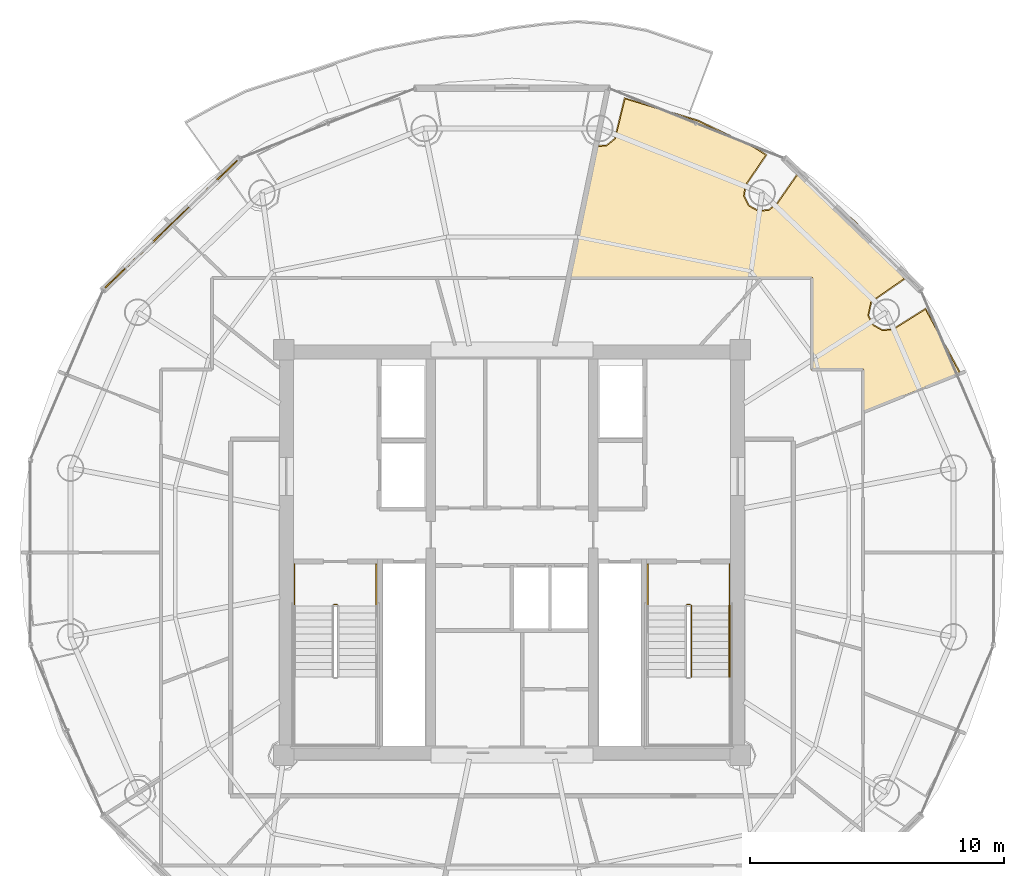
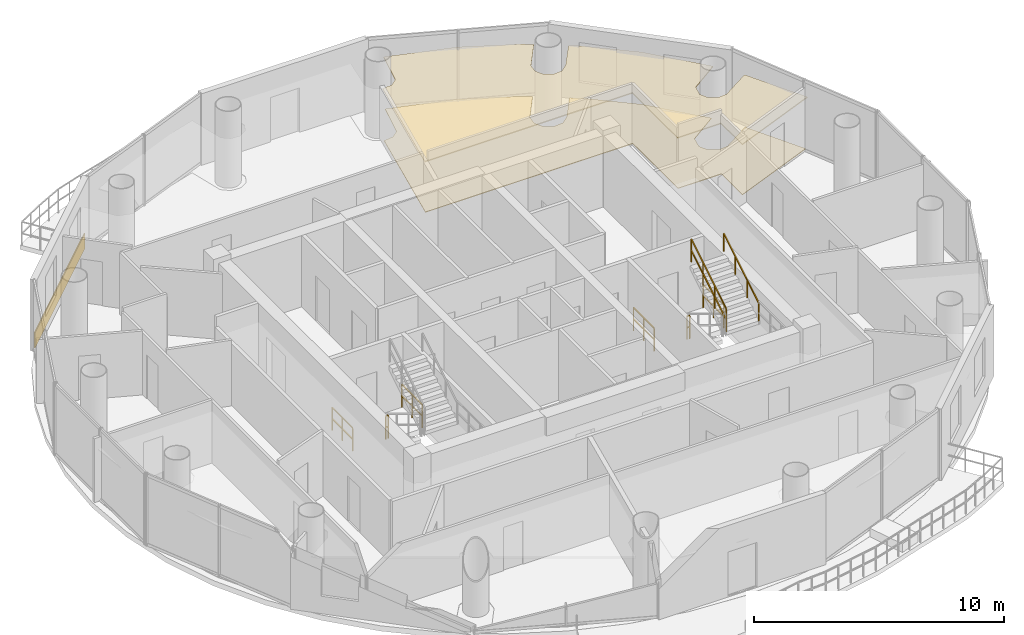
# One storey, part 21 of 22: 8 railings, 3 coverings.
"""IFC4 building model written with IfcOpenShell, lengths in metres."""

from ifc_helpers import new_model, si_unit, direction, frame, origin, origin_2d, place, context, subcontext, project, spatial, polyline, rectangle, outline, extrude, source, transform, mapped, material, layer, layer_set, type_object, element, save


model = new_model("IFC4")

# Units and contexts
model_context = context("Model", 3, precision=1e-05, world=origin(), true_north=direction((-0.2419218956, 0.970295726276)))
body_context = subcontext(model_context, "Body", "Model", "MODEL_VIEW")
ifc_project = project(units=[si_unit("LENGTHUNIT", "METRE"), si_unit("AREAUNIT", "SQUARE_METRE"), si_unit("VOLUMEUNIT", "CUBIC_METRE"), si_unit("PLANEANGLEUNIT", "RADIAN"), si_unit("MASSUNIT", "GRAM", prefix="KILO")], contexts=[model_context])

# Site, building, storey
site_placement = place(None, origin())
site = spatial("IfcSite", under=ifc_project, at=site_placement, CompositionType="ELEMENT")
building_placement = place(site_placement, origin())
building = spatial("IfcBuilding", under=site, at=building_placement, Name="Cobrevalo Terracotta Tower", CompositionType="ELEMENT")
storey_placement = place(building_placement, frame((0.0, 0.0, 289.449951171875)))
storey = spatial("IfcBuildingStorey", under=building, at=storey_placement, Name="L76", CompositionType="ELEMENT", Elevation=289.449951171875)

# Coverings
ifc_material_1 = material(Name="Engineered Brazilian hardwood flooring", Category="wood")
ifc_layer_1 = layer(ifc_material_1, 0.028076171875)
ifc_layer_set_1 = layer_set([ifc_layer_1], Name="Engineered Brazilian hardwood flooring")
covering_type_1 = type_object("IfcCoveringType", Name="Engineered Hardwood Suite Flooring 28", PredefinedType="FLOORING", material=ifc_layer_set_1)
covering_1_placement = place(storey_placement, origin())
element("IfcCovering", 1, at=covering_1_placement, inside=storey, type_object=covering_type_1, Name="Flat L76B Private Cinema Room floor finish", PredefinedType="FLOORING", context=body_context, shape_type="SweptSolid", body=[
    extrude(outline(polyline([(41.321533203125, 42.796630859375), (41.74072265625, 42.83642578125), (42.074951171875, 43.1064453125), (42.45947265625, 44.68603515625), (45.317138671875, 43.817626953125), (47.560302734375, 42.751953125), (47.99853515625, 42.4697265625), (47.18310546875, 41.2724609375), (47.1328125, 40.845703125), (47.328369140625, 40.463134765625), (47.703369140625, 40.25341796875), (48.1318359375, 40.28759765625), (48.46826171875, 40.55322265625), (49.243896484375, 41.668212890625), (49.639892578125, 41.413330078125), (51.52001953125, 39.82470703125), (53.4560546875, 37.599365234375), (52.15087890625, 36.69482421875), (52.0302734375, 36.1416015625), (52.2255859375, 35.7587890625), (52.600830078125, 35.54931640625), (53.029052734375, 35.58349609375), (54.300048828125, 36.382568359375), (55.65380859375, 33.8701171875), (51.85498046875, 32.353271484375), (51.85498046875, 34.030029296875), (49.844970703125, 34.030029296875), (49.844970703125, 37.64501953125), (40.25830078125, 37.64501953125), (41.321533203125, 42.796630859375)])), origin(), (0.0, 0.0, 1.0), 0.030029296875),
])
ifc_material_2 = material(Name="Acoustic perforated gypsum ceiling", Category="gypsum")
ifc_layer_2 = layer(ifc_material_2, 0.050048828125)
ifc_layer_set_2 = layer_set([ifc_layer_2], Name="Acoustic perforated gypsum ceiling")
covering_type_2 = type_object("IfcCoveringType", Name="Perforated Acoustic Gypsum Ceiling 50", PredefinedType="CEILING", material=ifc_layer_set_2)
covering_2_placement = place(storey_placement, frame((0.0, 0.0, 2.5)))
element("IfcCovering", 2, at=covering_2_placement, inside=storey, type_object=covering_type_2, Name="Flat L76B Private Cinema Room acoustic ceiling", PredefinedType="CEILING", context=body_context, shape_type="SweptSolid", body=[
    extrude(outline(polyline([(41.28564453125, 42.845703125), (41.7236328125, 42.87841796875), (42.03759765625, 43.1318359375), (42.424560546875, 44.738525390625), (45.333740234375, 43.859619140625), (47.582275390625, 42.79150390625), (48.062255859375, 42.482421875), (47.224365234375, 41.25439453125), (47.177490234375, 40.853759765625), (47.36083984375, 40.494384765625), (47.713134765625, 40.297607421875), (48.115234375, 40.32958984375), (48.4326171875, 40.580810546875), (49.231689453125, 41.7294921875), (49.66650390625, 41.449462890625), (51.551513671875, 39.857177734375), (53.51953125, 37.586669921875), (52.18798828125, 36.669189453125), (52.07470703125, 36.1494140625), (52.25830078125, 35.790283203125), (52.610595703125, 35.593505859375), (53.0126953125, 35.625732421875), (54.312255859375, 36.44384765625), (55.71630859375, 33.8466796875), (51.81005859375, 32.286865234375), (51.81005859375, 33.985107421875), (49.800048828125, 33.985107421875), (49.800048828125, 37.60009765625), (40.203125, 37.60009765625), (41.28564453125, 42.845703125)])), origin(), (0.0, 0.0, 1.0), 0.050048828125),
])

# Railings
ifc_material_3 = material(Name="Brushed stainless steel", Category="steel")
railing_type_1 = type_object("IfcRailingType", Name="Stainless Steel Stair Handrail 900", PredefinedType="HANDRAIL", material=ifc_material_3)
railing_1_placement = place(storey_placement, frame((46.574951171875, 21.89990234375, 2.04541015625)))
element("IfcRailing", 3, at=railing_1_placement, inside=storey, type_object=railing_type_1, Name="L76 ST-2 stair handrail 2", PredefinedType="HANDRAIL", context=body_context, shape_type="SweptSolid", body=[
    extrude(rectangle(XDim=0.048095703125, YDim=0.048095703125, at=origin_2d()), frame((0.0, 0.0, 0.8759765625), z_axis=(0.0, 0.854169791009, 0.51999420009), x_axis=(-1.0, 0.0, 0.0)), (0.0, 0.0, 1.0), 3.278076171875),
    extrude(rectangle(XDim=0.0419921875, YDim=0.0419921875, at=origin_2d()), origin(), (0.0, 0.0, 1.0), 0.851806640625),
    extrude(rectangle(XDim=0.0419921875, YDim=0.0419921875, at=origin_2d()), frame((0.0, 0.933349609375, 0.568115234375)), (0.0, 0.0, 1.0), 0.851806640625),
    extrude(rectangle(XDim=0.0419921875, YDim=0.0419921875, at=origin_2d()), frame((0.0, 1.86669921875, 1.136474609375)), (0.0, 0.0, 1.0), 0.851806640625),
    extrude(rectangle(XDim=0.0419921875, YDim=0.0419921875, at=origin_2d()), frame((0.0, 2.800048828125, 1.70458984375)), (0.0, 0.0, 1.0), 0.851806640625),
])
ifc_material_4 = material(Name="Painted galvanized steel", Category="steel")
railing_type_2 = type_object("IfcRailingType", Name="Stair Well Guard Balustrade 1150", PredefinedType="GUARDRAIL", material=ifc_material_4)
railing_2_placement = place(storey_placement, frame((30.97509765625, 24.75, 0.0)))
element("IfcRailing", 4, at=railing_2_placement, inside=storey, type_object=railing_type_2, Name="L76 ST-1 stair guard 7", PredefinedType="GUARDRAIL", context=body_context, shape_type="SweptSolid", body=[
    extrude(rectangle(XDim=0.048095703125, YDim=0.048095703125, at=origin_2d()), frame((0.0, 0.0, 1.1259765625), z_axis=(1.0, 0.0, 0.0), x_axis=(0.0, 1.0, 0.0)), (0.0, 0.0, 1.0), 0.119873046875),
    extrude(rectangle(XDim=0.048095703125, YDim=0.048095703125, at=origin_2d()), frame((0.0, 0.0, 0.574951171875), z_axis=(1.0, 0.0, 0.0), x_axis=(0.0, 1.0, 0.0)), (0.0, 0.0, 1.0), 0.119873046875),
    extrude(rectangle(XDim=0.0419921875, YDim=0.0419921875, at=origin_2d()), origin(), (0.0, 0.0, 1.0), 1.101806640625),
    extrude(rectangle(XDim=0.0419921875, YDim=0.0419921875, at=origin_2d()), frame((0.119873046875, 0.0, 0.0)), (0.0, 0.0, 1.0), 1.101806640625),
])
for number, where, name in (
    (5, (29.425048828125, 26.35009765625, 0.0), "L76 ST-1 stair guard 8"),
    (6, (32.64501953125, 26.35009765625, 0.0), "L76 ST-1 stair guard 9"),
):
    element("IfcRailing", number, at=place(storey_placement, frame(where)), inside=storey, type_object=railing_type_2, Name=name, PredefinedType="GUARDRAIL", context=body_context, shape_type="SweptSolid", body=[
        extrude(rectangle(XDim=0.048095703125, YDim=0.048095703125, at=origin_2d()), frame((0.0, 0.0, 1.1259765625), z_axis=(0.0, -1.0, 0.0), x_axis=(1.0, 0.0, 0.0)), (0.0, 0.0, 1.0), 1.650146484375),
        extrude(rectangle(XDim=0.048095703125, YDim=0.048095703125, at=origin_2d()), frame((0.0, 0.0, 0.574951171875), z_axis=(0.0, -1.0, 0.0), x_axis=(1.0, 0.0, 0.0)), (0.0, 0.0, 1.0), 1.650146484375),
        extrude(rectangle(XDim=0.0419921875, YDim=0.0419921875, at=origin_2d()), origin(), (0.0, 0.0, 1.0), 1.101806640625),
        extrude(rectangle(XDim=0.0419921875, YDim=0.0419921875, at=origin_2d()), frame((0.0, -0.8251953125, 0.0)), (0.0, 0.0, 1.0), 1.101806640625),
        extrude(rectangle(XDim=0.0419921875, YDim=0.0419921875, at=origin_2d()), frame((0.0, -1.650146484375, 0.0)), (0.0, 0.0, 1.0), 1.101806640625),
    ])
railing_3_placement = place(storey_placement, frame((45.074951171875, 21.89990234375, 2.04541015625)))
element("IfcRailing", 7, at=railing_3_placement, inside=storey, type_object=railing_type_2, Name="L76 ST-2 stair guard 6", PredefinedType="GUARDRAIL", context=body_context, shape_type="SweptSolid", body=[
    extrude(rectangle(XDim=0.048095703125, YDim=0.048095703125, at=origin_2d()), frame((0.0, 0.0, 1.1259765625), z_axis=(0.0, 0.854169791009, 0.51999420009), x_axis=(-1.0, 0.0, 0.0)), (0.0, 0.0, 1.0), 3.278076171875),
    extrude(rectangle(XDim=0.048095703125, YDim=0.048095703125, at=origin_2d()), frame((0.0, 0.0, 0.574951171875), z_axis=(0.0, 0.854169791009, 0.51999420009), x_axis=(-1.0, 0.0, 0.0)), (0.0, 0.0, 1.0), 3.278076171875),
    extrude(rectangle(XDim=0.0419921875, YDim=0.0419921875, at=origin_2d()), origin(), (0.0, 0.0, 1.0), 1.101806640625),
    extrude(rectangle(XDim=0.0419921875, YDim=0.0419921875, at=origin_2d()), frame((0.0, 0.933349609375, 0.568115234375)), (0.0, 0.0, 1.0), 1.101806640625),
    extrude(rectangle(XDim=0.0419921875, YDim=0.0419921875, at=origin_2d()), frame((0.0, 1.86669921875, 1.136474609375)), (0.0, 0.0, 1.0), 1.101806640625),
    extrude(rectangle(XDim=0.0419921875, YDim=0.0419921875, at=origin_2d()), frame((0.0, 2.800048828125, 1.70458984375)), (0.0, 0.0, 1.0), 1.101806640625),
])
railing_4_placement = place(storey_placement, frame((44.905029296875, 24.75, 0.0)))
element("IfcRailing", 8, at=railing_4_placement, inside=storey, type_object=railing_type_2, Name="L76 ST-2 stair guard 7", PredefinedType="GUARDRAIL", context=body_context, shape_type="SweptSolid", body=[
    extrude(rectangle(XDim=0.048095703125, YDim=0.048095703125, at=origin_2d()), frame((0.0, 0.0, 1.1259765625), z_axis=(1.0, 0.0, 0.0), x_axis=(0.0, 1.0, 0.0)), (0.0, 0.0, 1.0), 0.119873046875),
    extrude(rectangle(XDim=0.048095703125, YDim=0.048095703125, at=origin_2d()), frame((0.0, 0.0, 0.574951171875), z_axis=(1.0, 0.0, 0.0), x_axis=(0.0, 1.0, 0.0)), (0.0, 0.0, 1.0), 0.119873046875),
    extrude(rectangle(XDim=0.0419921875, YDim=0.0419921875, at=origin_2d()), origin(), (0.0, 0.0, 1.0), 1.101806640625),
    extrude(rectangle(XDim=0.0419921875, YDim=0.0419921875, at=origin_2d()), frame((0.119873046875, 0.0, 0.0)), (0.0, 0.0, 1.0), 1.101806640625),
])
for number, where, name in (
    (9, (43.35498046875, 26.35009765625, 0.0), "L76 ST-2 stair guard 8"),
    (10, (46.574951171875, 26.35009765625, 0.0), "L76 ST-2 stair guard 9"),
):
    element("IfcRailing", number, at=place(storey_placement, frame(where)), inside=storey, type_object=railing_type_2, Name=name, PredefinedType="GUARDRAIL", context=body_context, shape_type="SweptSolid", body=[
        extrude(rectangle(XDim=0.048095703125, YDim=0.048095703125, at=origin_2d()), frame((0.0, 0.0, 1.1259765625), z_axis=(0.0, -1.0, 0.0), x_axis=(1.0, 0.0, 0.0)), (0.0, 0.0, 1.0), 1.650146484375),
        extrude(rectangle(XDim=0.048095703125, YDim=0.048095703125, at=origin_2d()), frame((0.0, 0.0, 0.574951171875), z_axis=(0.0, -1.0, 0.0), x_axis=(1.0, 0.0, 0.0)), (0.0, 0.0, 1.0), 1.650146484375),
        extrude(rectangle(XDim=0.0419921875, YDim=0.0419921875, at=origin_2d()), origin(), (0.0, 0.0, 1.0), 1.101806640625),
        extrude(rectangle(XDim=0.0419921875, YDim=0.0419921875, at=origin_2d()), frame((0.0, -0.8251953125, 0.0)), (0.0, 0.0, 1.0), 1.101806640625),
        extrude(rectangle(XDim=0.0419921875, YDim=0.0419921875, at=origin_2d()), frame((0.0, -1.650146484375, 0.0)), (0.0, 0.0, 1.0), 1.101806640625),
    ])

# Covering
ifc_material_5 = material(Name="Glazed terracotta facade cladding tile", Category="masonry")
ifc_layer_3 = layer(ifc_material_5, 0.044921875)
ifc_layer_set_3 = layer_set([ifc_layer_3], Name="Glazed terracotta facade cladding tile")
covering_type_3 = type_object("IfcCoveringType", Name="Architectural terracotta rainscreen spandrel cladding 45 mm", PredefinedType="CLADDING", material=ifc_layer_set_3)
shared_shape = source(origin(), body_context, "Body", "SweptSolid", [
    extrude(rectangle(XDim=7.222412109375, YDim=0.044921875, at=origin_2d()), origin(), (0.0, 0.0, 1.0), 0.760009765625),
])
covering_3_placement = place(storey_placement, frame((24.56640625, 39.748046875, 0.0400390625), z_axis=(0.0, 0.0, 1.0), x_axis=(-0.719996603293, -0.693977586992, 0.0)))
element("IfcCovering", 11, at=covering_3_placement, inside=storey, type_object=covering_type_3, Name="L76 terracotta spandrel cladding S06", PredefinedType="CLADDING", context=body_context, shape_type="MappedRepresentation", body=[
    mapped(shared_shape, transform((0.0, 0.0, 0.0), scale=1.0)),
])

save(model, "model.ifc")
